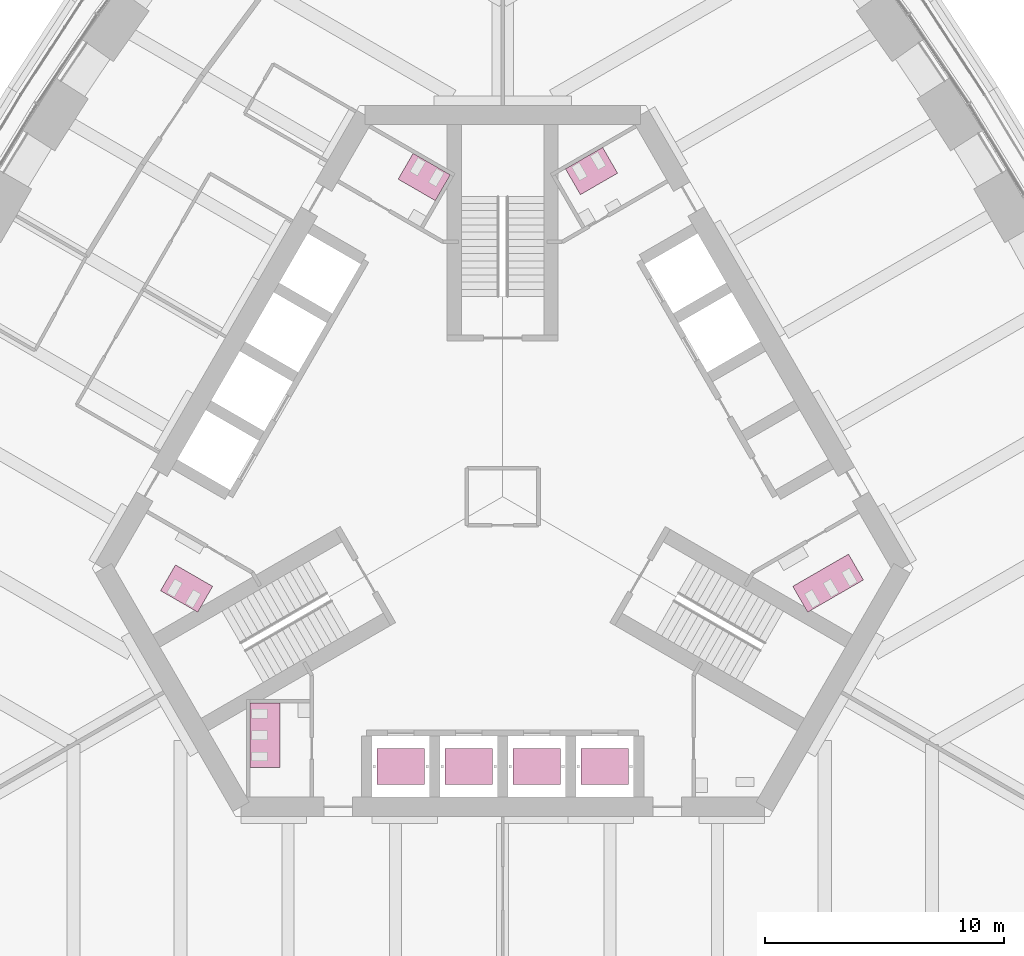
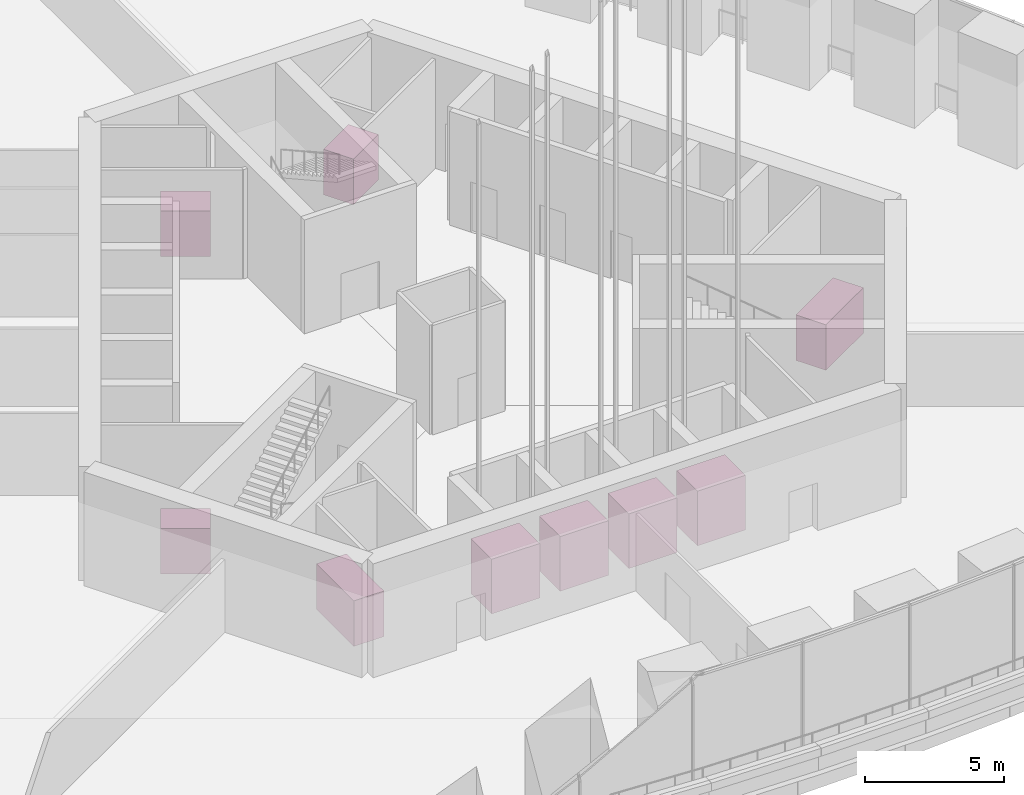
# One storey, part 23 of 31: 5 furniture elements, 4 transport elements.
"""IFC4 building model written with IfcOpenShell, lengths in metres."""

from ifc_helpers import new_model, si_unit, direction, frame, origin, origin_2d, place, context, subcontext, project, spatial, polyline, rectangle, outline, extrude, material, type_object, element, save


model = new_model("IFC4")

# Units and contexts
model_context = context("Model", 3, precision=1e-05, world=origin(), true_north=direction((0.0, 1.0)))
body_context = subcontext(model_context, "Body", "Model", "MODEL_VIEW")
ifc_project = project(units=[si_unit("LENGTHUNIT", "METRE"), si_unit("AREAUNIT", "SQUARE_METRE"), si_unit("VOLUMEUNIT", "CUBIC_METRE"), si_unit("PLANEANGLEUNIT", "RADIAN"), si_unit("MASSUNIT", "GRAM", prefix="KILO")], contexts=[model_context])

# Site, building, storey
site_placement = place(None, origin())
site = spatial("IfcSite", under=ifc_project, at=site_placement, CompositionType="ELEMENT")
building_placement = place(site_placement, origin())
building = spatial("IfcBuilding", under=site, at=building_placement, Name="Trefoil Bronze Tower", CompositionType="ELEMENT")
storey_placement = place(building_placement, frame((0.0, 0.0, 184.699951171875)))
storey = spatial("IfcBuildingStorey", under=building, at=storey_placement, Name="L42", CompositionType="ELEMENT", Elevation=184.699951171875)

# Transport elements
ifc_material_1 = material(Name="Lift car", Category="steel")
transport_element_type = type_object("IfcTransportElementType", Name="Passenger lift 1275", PredefinedType="ELEVATOR", material=ifc_material_1)
for number, where, z_axis, x_axis, name in (
    (1, (-4.27490234375, -11.3125, 0.0), (0.0, 0.0, 1.0), (1.0, 0.0, 0.0), "Lift P31"),
    (2, (-1.425048828125, -11.3125, 0.0), (0.0, 0.0, 1.0), (1.0, 0.0, 0.0), "Lift P32"),
    (3, (1.425048828125, -11.3125, 0.0), (0.0, 0.0, 1.0), (1.0, 0.0, 0.0), "Lift P33"),
    (4, (4.27490234375, -11.3125, 0.0), (0.0, 0.0, 1.0), (1.0, 0.0, 0.0), "Lift P34"),
):
    element("IfcTransportElement", number, at=place(storey_placement, frame(where, z_axis=z_axis, x_axis=x_axis)), inside=storey, type_object=transport_element_type, Name=name, PredefinedType="ELEVATOR", context=body_context, shape_type="SweptSolid", body=[
        extrude(rectangle(XDim=2.0, YDim=1.5, at=origin_2d()), origin(), (0.0, 0.0, 1.0), 2.39990234375),
    ])

# Furniture
ifc_material_2 = material(Name="Compact laminate cubicles", Category="plastic")
furniture_type_1 = type_object("IfcFurnitureType", Name="WC cubicle range 2 cubicles", AssemblyPlace="FACTORY", PredefinedType="USERDEFINED", material=ifc_material_2)
furniture_1_placement = place(storey_placement, origin())
element("IfcFurniture", 5, at=furniture_1_placement, inside=storey, type_object=furniture_type_1, Name="WC cubicle range WC (men) L42", ObjectType="WC cubicle range", PredefinedType="USERDEFINED", context=body_context, shape_type="SweptSolid", body=[
    extrude(outline(polyline([(3.256591796875, 12.659423828125), (2.631591796875, 13.741943359375), (4.1904296875, 14.641845703125), (4.8154296875, 13.559326171875), (3.256591796875, 12.659423828125)])), origin(), (0.0, 0.0, 1.0), 2.0),
])
furniture_2_placement = place(storey_placement, origin())
element("IfcFurniture", 6, at=furniture_2_placement, inside=storey, type_object=furniture_type_1, Name="WC cubicle range WC (women) L42", ObjectType="WC cubicle range", PredefinedType="USERDEFINED", context=body_context, shape_type="SweptSolid", body=[
    extrude(outline(polyline([(-2.82373046875, 12.409423828125), (-2.19873046875, 13.491943359375), (-3.757568359375, 14.391845703125), (-4.382568359375, 13.309326171875), (-2.82373046875, 12.409423828125)])), origin(), (0.0, 0.0, 1.0), 2.0),
])
furniture_3_placement = place(storey_placement, origin())
element("IfcFurniture", 7, at=furniture_3_placement, inside=storey, type_object=furniture_type_1, Name="WC cubicle range WC (men) L42", ObjectType="WC cubicle range", PredefinedType="USERDEFINED", context=body_context, shape_type="SweptSolid", body=[
    extrude(outline(polyline([(-12.15869140625, -3.75927734375), (-12.78369140625, -4.841796875), (-14.342529296875, -3.94189453125), (-13.717529296875, -2.859375), (-12.15869140625, -3.75927734375)])), origin(), (0.0, 0.0, 1.0), 2.0),
])
ifc_material_3 = material(Name="Compact laminate cubicles", Category="plastic")
furniture_type_2 = type_object("IfcFurnitureType", Name="WC cubicle range 3 cubicles", AssemblyPlace="FACTORY", PredefinedType="USERDEFINED", material=ifc_material_3)
furniture_4_placement = place(storey_placement, origin())
element("IfcFurniture", 8, at=furniture_4_placement, inside=storey, type_object=furniture_type_2, Name="WC cubicle range WC (women) L42", ObjectType="WC cubicle range", PredefinedType="USERDEFINED", context=body_context, shape_type="SweptSolid", body=[
    extrude(outline(polyline([(12.15869140625, -3.75927734375), (12.78369140625, -4.841796875), (15.121826171875, -3.491943359375), (14.496826171875, -2.409423828125), (12.15869140625, -3.75927734375)])), origin(), (0.0, 0.0, 1.0), 2.0),
])
furniture_5_placement = place(storey_placement, origin())
element("IfcFurniture", 9, at=furniture_5_placement, inside=storey, type_object=furniture_type_2, Name="WC cubicle range WC (women) L42", ObjectType="WC cubicle range", PredefinedType="USERDEFINED", context=body_context, shape_type="SweptSolid", body=[
    extrude(outline(polyline([(-9.3349609375, -8.64990234375), (-10.5849609375, -8.64990234375), (-10.5849609375, -11.35009765625), (-9.3349609375, -11.35009765625), (-9.3349609375, -8.64990234375)])), origin(), (0.0, 0.0, 1.0), 2.0),
])

save(model, "model.ifc")
